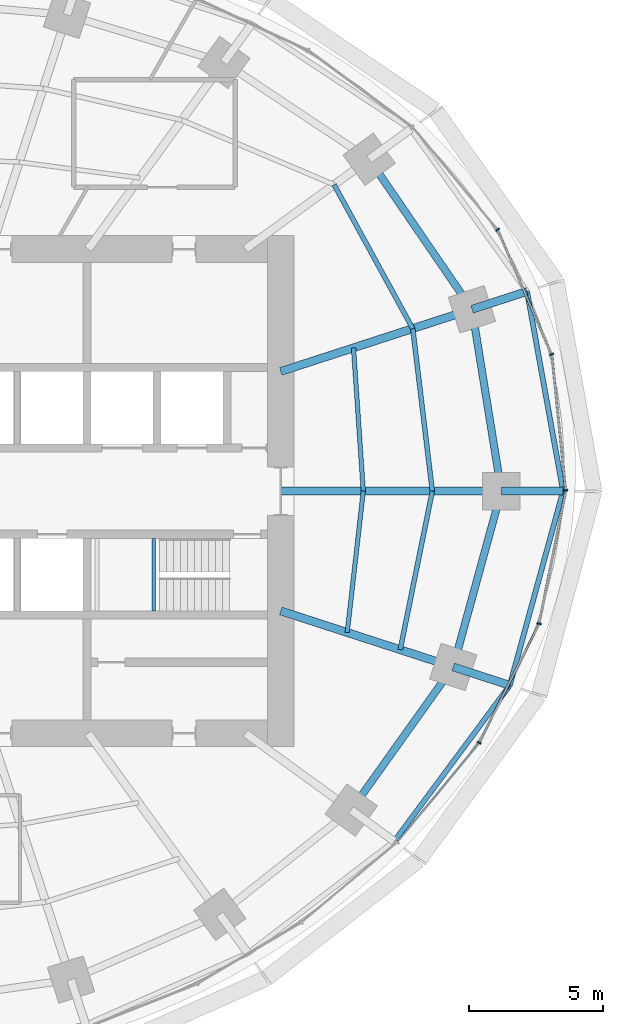
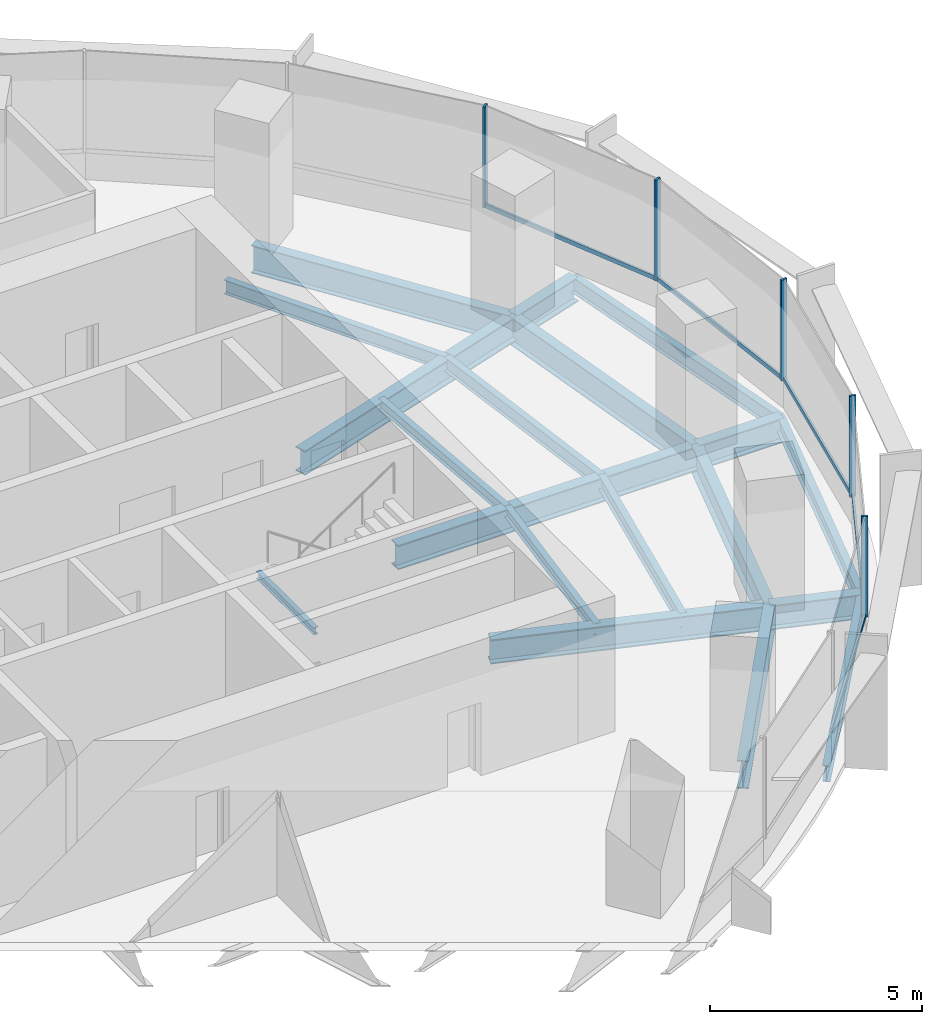
# One storey, part 6 of 14: 19 beams, 10 members, 2 elements without a shape of their own.
"""IFC4 building model written with IfcOpenShell, lengths in metres."""

from ifc_helpers import new_model, si_unit, direction, frame, origin, origin_2d, place, context, subcontext, project, spatial, rectangle, i_section, extrude, material, material_profile, profile_set, type_object, element, aggregate, save


model = new_model("IFC4")

# Units and contexts
model_context = context("Model", 3, precision=1e-05, world=origin(), true_north=direction((0.0, 1.0)))
body_context = subcontext(model_context, "Body", "Model", "MODEL_VIEW")
ifc_project = project(units=[si_unit("LENGTHUNIT", "METRE"), si_unit("AREAUNIT", "SQUARE_METRE"), si_unit("VOLUMEUNIT", "CUBIC_METRE"), si_unit("PLANEANGLEUNIT", "RADIAN"), si_unit("MASSUNIT", "GRAM", prefix="KILO")], contexts=[model_context])

# Site, building, storey
site_placement = place(None, origin())
site = spatial("IfcSite", under=ifc_project, at=site_placement, CompositionType="ELEMENT")
building_placement = place(site_placement, origin())
building = spatial("IfcBuilding", under=site, at=building_placement, Name="Marramba Exchange Tower", CompositionType="ELEMENT")
storey_placement = place(building_placement, frame((0.0, 0.0, 242.300048828125)))
storey = spatial("IfcBuildingStorey", under=building, at=storey_placement, Name="L59", CompositionType="ELEMENT", Elevation=242.300048828125)

# Beams
ifc_material_1 = material(Name="Steel AS/NZS 3679.2 grade 300", Category="steel")
ifc_material_profile_1 = material_profile(ifc_material_1, i_section(OverallWidth=0.300048828125, OverallDepth=0.699951171875, WebThickness=0.010009765625, FlangeThickness=0.031982421875, at=origin_2d()), Name="700WB173")
ifc_profile_set_1 = profile_set([ifc_material_profile_1], Name="Steel AS/NZS 3679.2 grade 300")
beam_type_1 = type_object("IfcBeamType", Name="Cantilever girder 700WB173", PredefinedType="BEAM", material=ifc_profile_set_1)
beam_1_placement = place(storey_placement, frame((21.89990234375, 0.0, -0.510009765625), z_axis=(1.0, 0.0, 0.0), x_axis=(0.0, 1.0, 0.0)))
element("IfcBeam", 1, at=beam_1_placement, inside=storey, type_object=beam_type_1, Name="Cantilever girder L59 TC01", PredefinedType="BEAM", context=body_context, shape_type="SweptSolid", body=[
    extrude(i_section(OverallWidth=0.300048828125, OverallDepth=0.699951171875, WebThickness=0.010009765625, FlangeThickness=0.031982421875, at=origin_2d()), origin(), (0.0, 0.0, 1.0), 2.294189453125),
])
beam_2_placement = place(storey_placement, frame((20.808349609375, 6.760986328125, -0.510009765625), z_axis=(0.951051587859, 0.309032162129, 0.0), x_axis=(-0.309032162129, 0.951051587859, 0.0)))
element("IfcBeam", 2, at=beam_2_placement, inside=storey, type_object=beam_type_1, Name="Cantilever girder L59 TC02", PredefinedType="BEAM", context=body_context, shape_type="SweptSolid", body=[
    extrude(i_section(OverallWidth=0.300048828125, OverallDepth=0.699951171875, WebThickness=0.010009765625, FlangeThickness=0.031982421875, at=origin_2d()), origin(), (0.0, 0.0, 1.0), 2.150390625),
])
beam_3_placement = place(storey_placement, frame((20.109375, -6.533935546875, -0.510009765625), z_axis=(0.951050283347, -0.309036176758, 0.0), x_axis=(0.309036176758, 0.951050283347, 0.0)))
element("IfcBeam", 3, at=beam_3_placement, inside=storey, type_object=beam_type_1, Name="Cantilever girder L59 TC20", PredefinedType="BEAM", context=body_context, shape_type="SweptSolid", body=[
    extrude(i_section(OverallWidth=0.300048828125, OverallDepth=0.699951171875, WebThickness=0.010009765625, FlangeThickness=0.031982421875, at=origin_2d()), origin(), (0.0, 0.0, 1.0), 2.212890625),
])
ifc_material_2 = material(Name="Steel AS/NZS 3679.1 grade 300", Category="steel")
ifc_material_profile_2 = material_profile(ifc_material_2, i_section(OverallWidth=0.166015625, OverallDepth=0.306884765625, WebThickness=0.006591796875, FlangeThickness=0.01171875, FilletRadius=0.011474609375, at=origin_2d()), Name="310UB46.2")
ifc_profile_set_2 = profile_set([ifc_material_profile_2], Name="Steel AS/NZS 3679.1 grade 300")
beam_type_2 = type_object("IfcBeamType", Name="Floor joist 310UB46.2", PredefinedType="JOIST", material=ifc_profile_set_2)
beam_4_placement = place(storey_placement, frame((16.7666015625, 0.0, -0.3134765625), z_axis=(-0.068096259546, 0.99767875563, 0.0), x_axis=(-0.99767875563, -0.068096259546, 0.0)))
element("IfcBeam", 4, at=beam_4_placement, inside=storey, type_object=beam_type_2, Name="Joist L59 bay 01 row 1", PredefinedType="JOIST", context=body_context, shape_type="SweptSolid", body=[
    extrude(i_section(OverallWidth=0.166015625, OverallDepth=0.306884765625, WebThickness=0.006591796875, FlangeThickness=0.01171875, FilletRadius=0.011474609375, at=origin_2d()), origin(), (0.0, 0.0, 1.0), 5.342041015625),
])
beam_5_placement = place(storey_placement, frame((16.169677734375, -5.25390625, -0.3134765625), z_axis=(0.112888968594, 0.993607609054, 0.0), x_axis=(-0.993607609054, 0.112888968594, 0.0)))
element("IfcBeam", 5, at=beam_5_placement, inside=storey, type_object=beam_type_2, Name="Joist L59 bay 20 row 1", PredefinedType="JOIST", context=body_context, shape_type="SweptSolid", body=[
    extrude(i_section(OverallWidth=0.166015625, OverallDepth=0.306884765625, WebThickness=0.006591796875, FlangeThickness=0.01171875, FilletRadius=0.011474609375, at=origin_2d()), origin(), (0.0, 0.0, 1.0), 5.28759765625),
])
ifc_material_profile_3 = material_profile(ifc_material_2, i_section(OverallWidth=0.177978515625, OverallDepth=0.406005859375, WebThickness=0.0078125, FlangeThickness=0.0126953125, FilletRadius=0.011474609375, at=origin_2d()), Name="410UB59.7")
ifc_profile_set_3 = profile_set([ifc_material_profile_3], Name="Steel AS/NZS 3679.1 grade 300")
beam_type_3 = type_object("IfcBeamType", Name="Floor joist 410UB59.7", PredefinedType="JOIST", material=ifc_profile_set_3)
beam_6_placement = place(storey_placement, frame((19.333251953125, 0.0, -0.363037109375), z_axis=(-0.119523078538, 0.992831422597, 0.0), x_axis=(-0.992831422597, -0.119523078538, 0.0)))
element("IfcBeam", 6, at=beam_6_placement, inside=storey, type_object=beam_type_3, Name="Joist L59 bay 01 row 2", PredefinedType="JOIST", context=body_context, shape_type="SweptSolid", body=[
    extrude(i_section(OverallWidth=0.177978515625, OverallDepth=0.406005859375, WebThickness=0.0078125, FlangeThickness=0.0126953125, FilletRadius=0.011474609375, at=origin_2d()), origin(), (0.0, 0.0, 1.0), 6.089111328125),
])
beam_7_placement = place(storey_placement, frame((18.60546875, 6.04541015625, -0.363037109375), z_axis=(-0.479584443791, 0.877495732909, 0.0), x_axis=(-0.877495732909, -0.479584443791, 0.0)))
element("IfcBeam", 7, at=beam_7_placement, inside=storey, type_object=beam_type_3, Name="Joist L59 bay 02 row 2", PredefinedType="JOIST", context=body_context, shape_type="SweptSolid", body=[
    extrude(i_section(OverallWidth=0.177978515625, OverallDepth=0.406005859375, WebThickness=0.0078125, FlangeThickness=0.0126953125, FilletRadius=0.011474609375, at=origin_2d()), origin(), (0.0, 0.0, 1.0), 6.094970703125),
])
beam_8_placement = place(storey_placement, frame((18.1396484375, -5.893798828125, -0.363037109375), z_axis=(0.198489047047, 0.980103105904, 0.0), x_axis=(-0.980103105904, 0.198489047047, 0.0)))
element("IfcBeam", 8, at=beam_8_placement, inside=storey, type_object=beam_type_3, Name="Joist L59 bay 20 row 2", PredefinedType="JOIST", context=body_context, shape_type="SweptSolid", body=[
    extrude(i_section(OverallWidth=0.177978515625, OverallDepth=0.406005859375, WebThickness=0.0078125, FlangeThickness=0.0126953125, FilletRadius=0.011474609375, at=origin_2d()), origin(), (0.0, 0.0, 1.0), 6.013427734375),
])

# Curtain wall, members
ifc_material_3 = material(Name="Aluminium framing, bronze anodised", Category="aluminium")
curtain_wall_type = type_object("IfcCurtainWallType", Name="Office ribbon curtain wall", PredefinedType="USERDEFINED", material=ifc_material_3)
curtain_wall_1_placement = place(storey_placement, origin())
curtain_wall_1 = element("IfcCurtainWall", 9, at=curtain_wall_1_placement, inside=storey, type_object=curtain_wall_type, Name="Curtain wall CW4 L59 F01-F05", ObjectType="RIBBON CURTAIN WALL", PredefinedType="USERDEFINED")
ifc_material_4 = material(Name="Aluminium mullion, bronze anodised", Category="aluminium")
ifc_material_profile_4 = material_profile(ifc_material_4, rectangle(XDim=0.159912109375, YDim=0.06005859375, at=origin_2d()), Name="CW4 mullion 60x160")
ifc_profile_set_4 = profile_set([ifc_material_profile_4], Name="Aluminium mullion, bronze anodised")
member_type_1 = type_object("IfcMemberType", Name="Office ribbon curtain wall mullion", PredefinedType="MULLION", material=ifc_profile_set_4)
member_1_placement = place(storey_placement, frame((24.291015625, 0.02978515625, 0.800048828125), z_axis=(0.0, 0.0, 1.0), x_axis=(-0.994843446001, -0.101422472607, 0.0)))
member_1 = element("IfcMember", 10, at=member_1_placement, type_object=member_type_1, Name="CW4 mullion 1", PredefinedType="MULLION", context=body_context, shape_type="SweptSolid", body=[
    extrude(rectangle(XDim=0.159912109375, YDim=0.06005859375, at=origin_2d()), origin(), (0.0, 0.0, 1.0), 2.89990234375),
])
member_2_placement = place(storey_placement, frame((23.766845703125, 5.081787109375, 0.800048828125), z_axis=(0.0, 0.0, 1.0), x_axis=(-0.918167104527, -0.396193346946, 0.0)))
member_2 = element("IfcMember", 11, at=member_2_placement, type_object=member_type_1, Name="CW4 mullion 1", PredefinedType="MULLION", context=body_context, shape_type="SweptSolid", body=[
    extrude(rectangle(XDim=0.159912109375, YDim=0.06005859375, at=origin_2d()), origin(), (0.0, 0.0, 1.0), 2.89990234375),
])
member_3_placement = place(storey_placement, frame((21.757080078125, 9.718505859375, 0.800048828125), z_axis=(0.0, 0.0, 1.0), x_axis=(-0.770574258342, -0.637350227411, 0.0)))
member_3 = element("IfcMember", 12, at=member_3_placement, type_object=member_type_1, Name="CW4 mullion 1", PredefinedType="MULLION", context=body_context, shape_type="SweptSolid", body=[
    extrude(rectangle(XDim=0.159912109375, YDim=0.06005859375, at=origin_2d()), origin(), (0.0, 0.0, 1.0), 2.89990234375),
])

curtain_wall_2_placement = place(storey_placement, origin())
curtain_wall_2 = element("IfcCurtainWall", 13, at=curtain_wall_2_placement, inside=storey, type_object=curtain_wall_type, Name="Curtain wall CW4 L59 F26-F30", ObjectType="RIBBON CURTAIN WALL", PredefinedType="USERDEFINED")
member_4_placement = place(storey_placement, frame((21.07568359375, -9.3505859375, 0.800048828125), z_axis=(0.0, 0.0, 1.0), x_axis=(-0.892689067591, 0.450673083956, 0.0)))
member_4 = element("IfcMember", 14, at=member_4_placement, type_object=member_type_1, Name="CW4 mullion 1", PredefinedType="MULLION", context=body_context, shape_type="SweptSolid", body=[
    extrude(rectangle(XDim=0.159912109375, YDim=0.06005859375, at=origin_2d()), origin(), (0.0, 0.0, 1.0), 2.89990234375),
])
member_5_placement = place(storey_placement, frame((23.30224609375, -4.92236328125, 0.800048828125), z_axis=(0.0, 0.0, 1.0), x_axis=(-0.980303812539, 0.197495405316, 0.0)))
member_5 = element("IfcMember", 15, at=member_5_placement, type_object=member_type_1, Name="CW4 mullion 1", PredefinedType="MULLION", context=body_context, shape_type="SweptSolid", body=[
    extrude(rectangle(XDim=0.159912109375, YDim=0.06005859375, at=origin_2d()), origin(), (0.0, 0.0, 1.0), 2.89990234375),
])

# Member
ifc_material_5 = material(Name="Aluminium transom, bronze anodised", Category="aluminium")
ifc_material_profile_5 = material_profile(ifc_material_5, rectangle(XDim=0.06005859375, YDim=0.1201171875, at=origin_2d()), Name="CW4 transom 60x120")
ifc_profile_set_5 = profile_set([ifc_material_profile_5], Name="Aluminium transom, bronze anodised")
member_type_2 = type_object("IfcMemberType", Name="Office ribbon curtain wall transom", PredefinedType="USERDEFINED", material=ifc_profile_set_5)
member_6_placement = place(storey_placement, frame((24.287841796875, 0.0595703125, 0.829833984375), z_axis=(-0.101386007846, 0.994847162841, 0.0), x_axis=(-0.994847162841, -0.101386007846, 0.0)))
member_6 = element("IfcMember", 16, at=member_6_placement, type_object=member_type_2, Name="CW4 sill transom", ObjectType="TRANSOM", PredefinedType="USERDEFINED", context=body_context, shape_type="SweptSolid", body=[
    extrude(rectangle(XDim=0.06005859375, YDim=0.1201171875, at=origin_2d()), origin(), (0.0, 0.0, 1.0), 5.020751953125),
])

member_7_placement = place(storey_placement, frame((23.7548828125, 5.109375, 0.829833984375), z_axis=(-0.396177573744, 0.918173910576, 0.0), x_axis=(-0.918173910576, -0.396177573744, 0.0)))
member_7 = element("IfcMember", 17, at=member_7_placement, type_object=member_type_2, Name="CW4 sill transom", ObjectType="TRANSOM", PredefinedType="USERDEFINED", context=body_context, shape_type="SweptSolid", body=[
    extrude(rectangle(XDim=0.06005859375, YDim=0.1201171875, at=origin_2d()), origin(), (0.0, 0.0, 1.0), 4.99462890625),
])

aggregate(curtain_wall_1, [member_1, member_6, member_2, member_7, member_3])

member_8_placement = place(storey_placement, frame((18.03515625, -13.029296875, 0.829833984375), z_axis=(0.638146908901, 0.76991462037, 0.0), x_axis=(-0.76991462037, 0.638146908901, 0.0)))
member_8 = element("IfcMember", 18, at=member_8_placement, type_object=member_type_2, Name="CW4 sill transom", ObjectType="TRANSOM", PredefinedType="USERDEFINED", context=body_context, shape_type="SweptSolid", body=[
    extrude(rectangle(XDim=0.06005859375, YDim=0.1201171875, at=origin_2d()), origin(), (0.0, 0.0, 1.0), 4.7431640625),
])

member_9_placement = place(storey_placement, frame((21.089111328125, -9.323974609375, 0.829833984375), z_axis=(0.450679681949, 0.892685736572, 0.0), x_axis=(-0.892685736572, 0.450679681949, 0.0)))
member_9 = element("IfcMember", 19, at=member_9_placement, type_object=member_type_2, Name="CW4 sill transom", ObjectType="TRANSOM", PredefinedType="USERDEFINED", context=body_context, shape_type="SweptSolid", body=[
    extrude(rectangle(XDim=0.06005859375, YDim=0.1201171875, at=origin_2d()), origin(), (0.0, 0.0, 1.0), 4.897705078125),
])

member_10_placement = place(storey_placement, frame((23.308349609375, -4.89306640625, 0.829833984375), z_axis=(0.197461053167, 0.980310732616, 0.0), x_axis=(-0.980310732616, 0.197461053167, 0.0)))
member_10 = element("IfcMember", 20, at=member_10_placement, type_object=member_type_2, Name="CW4 sill transom", ObjectType="TRANSOM", PredefinedType="USERDEFINED", context=body_context, shape_type="SweptSolid", body=[
    extrude(rectangle(XDim=0.06005859375, YDim=0.1201171875, at=origin_2d()), origin(), (0.0, 0.0, 1.0), 4.991455078125),
])

aggregate(curtain_wall_2, [member_8, member_4, member_9, member_5, member_10])

# Beams
ifc_material_profile_6 = material_profile(ifc_material_1, i_section(OverallWidth=0.300048828125, OverallDepth=0.699951171875, WebThickness=0.010009765625, FlangeThickness=0.031982421875, at=origin_2d()), Name="700WB173")
ifc_profile_set_6 = profile_set([ifc_material_profile_6], Name="Steel AS/NZS 3679.2 grade 300")
beam_type_4 = type_object("IfcBeamType", Name="Radial girder 700WB173", PredefinedType="BEAM", material=ifc_profile_set_6)
beam_9_placement = place(storey_placement, frame((13.699951171875, 0.0, -0.510009765625), z_axis=(1.0, 0.0, 0.0), x_axis=(0.0, 1.0, 0.0)))
element("IfcBeam", 21, at=beam_9_placement, inside=storey, type_object=beam_type_4, Name="Radial girder L59 TC01", PredefinedType="BEAM", context=body_context, shape_type="SweptSolid", body=[
    extrude(i_section(OverallWidth=0.300048828125, OverallDepth=0.699951171875, WebThickness=0.010009765625, FlangeThickness=0.031982421875, at=origin_2d()), origin(), (0.0, 0.0, 1.0), 8.199951171875),
])
beam_10_placement = place(storey_placement, frame((13.699951171875, 4.451416015625, -0.510009765625), z_axis=(0.951059990189, 0.309006302624, 0.0), x_axis=(-0.309006302624, 0.951059990189, 0.0)))
element("IfcBeam", 22, at=beam_10_placement, inside=storey, type_object=beam_type_4, Name="Radial girder L59 TC02", PredefinedType="BEAM", context=body_context, shape_type="SweptSolid", body=[
    extrude(i_section(OverallWidth=0.300048828125, OverallDepth=0.699951171875, WebThickness=0.010009765625, FlangeThickness=0.031982421875, at=origin_2d()), origin(), (0.0, 0.0, 1.0), 7.47412109375),
])
beam_11_placement = place(storey_placement, frame((13.699951171875, -4.451416015625, -0.510009765625), z_axis=(0.951057759669, -0.309013167637, 0.0), x_axis=(0.309013167637, 0.951057759669, 0.0)))
element("IfcBeam", 23, at=beam_11_placement, inside=storey, type_object=beam_type_4, Name="Radial girder L59 TC20", PredefinedType="BEAM", context=body_context, shape_type="SweptSolid", body=[
    extrude(i_section(OverallWidth=0.300048828125, OverallDepth=0.699951171875, WebThickness=0.010009765625, FlangeThickness=0.031982421875, at=origin_2d()), origin(), (0.0, 0.0, 1.0), 6.7392578125),
])
ifc_material_profile_7 = material_profile(ifc_material_1, i_section(OverallWidth=0.27490234375, OverallDepth=0.800048828125, WebThickness=0.010009765625, FlangeThickness=0.02490234375, at=origin_2d()), Name="800WB168")
ifc_profile_set_7 = profile_set([ifc_material_profile_7], Name="Steel AS/NZS 3679.2 grade 300")
beam_type_5 = type_object("IfcBeamType", Name="Ring beam 800WB168", PredefinedType="SPANDREL", material=ifc_profile_set_7)
beam_12_placement = place(storey_placement, frame((21.89990234375, 0.0, -0.56005859375), z_axis=(-0.159384865399, 0.987216523708, 0.0), x_axis=(-0.987216523708, -0.159384865399, 0.0)))
element("IfcBeam", 24, at=beam_12_placement, inside=storey, type_object=beam_type_5, Name="Ring beam L59 TC01-TC02", PredefinedType="SPANDREL", context=body_context, shape_type="SweptSolid", body=[
    extrude(i_section(OverallWidth=0.27490234375, OverallDepth=0.800048828125, WebThickness=0.010009765625, FlangeThickness=0.02490234375, at=origin_2d()), origin(), (0.0, 0.0, 1.0), 6.8486328125),
])
beam_13_placement = place(storey_placement, frame((20.808349609375, 6.760986328125, -0.56005859375), z_axis=(-0.56516002054, 0.824981303535, 0.0), x_axis=(-0.824981303535, -0.56516002054, 0.0)))
element("IfcBeam", 25, at=beam_13_placement, inside=storey, type_object=beam_type_5, Name="Ring beam L59 TC02-TC03", PredefinedType="SPANDREL", context=body_context, shape_type="SweptSolid", body=[
    extrude(i_section(OverallWidth=0.27490234375, OverallDepth=0.800048828125, WebThickness=0.010009765625, FlangeThickness=0.02490234375, at=origin_2d()), origin(), (0.0, 0.0, 1.0), 6.763671875),
])
beam_14_placement = place(storey_placement, frame((16.3154296875, -11.853759765625, -0.56005859375), z_axis=(0.580637181111, 0.814162430914, 0.0), x_axis=(-0.814162430914, 0.580637181111, 0.0)))
element("IfcBeam", 26, at=beam_14_placement, inside=storey, type_object=beam_type_5, Name="Ring beam L59 TC19-TC20", PredefinedType="SPANDREL", context=body_context, shape_type="SweptSolid", body=[
    extrude(i_section(OverallWidth=0.27490234375, OverallDepth=0.800048828125, WebThickness=0.010009765625, FlangeThickness=0.02490234375, at=origin_2d()), origin(), (0.0, 0.0, 1.0), 6.5341796875),
])
beam_15_placement = place(storey_placement, frame((20.109375, -6.533935546875, -0.56005859375), z_axis=(0.264291166956, 0.964442937176, 0.0), x_axis=(-0.964442937176, 0.264291166956, 0.0)))
element("IfcBeam", 27, at=beam_15_placement, inside=storey, type_object=beam_type_5, Name="Ring beam L59 TC20-TC01", PredefinedType="SPANDREL", context=body_context, shape_type="SweptSolid", body=[
    extrude(i_section(OverallWidth=0.27490234375, OverallDepth=0.800048828125, WebThickness=0.010009765625, FlangeThickness=0.02490234375, at=origin_2d()), origin(), (0.0, 0.0, 1.0), 6.77490234375),
])
ifc_material_profile_8 = material_profile(ifc_material_2, i_section(OverallWidth=0.19091796875, OverallDepth=0.4599609375, WebThickness=0.010009765625, FlangeThickness=0.01611328125, FilletRadius=0.011474609375, at=origin_2d()), Name="460UB82.1")
ifc_profile_set_8 = profile_set([ifc_material_profile_8], Name="Steel AS/NZS 3679.1 grade 300")
beam_type_6 = type_object("IfcBeamType", Name="Slab edge beam 460UB82.1", PredefinedType="SPANDREL", material=ifc_profile_set_8)
beam_16_placement = place(storey_placement, frame((24.194091796875, 0.0, -0.39013671875), z_axis=(-0.177663817107, 0.984091239719, 0.0), x_axis=(-0.984091239719, -0.177663817107, 0.0)))
element("IfcBeam", 28, at=beam_16_placement, inside=storey, type_object=beam_type_6, Name="Slab edge beam L59 TC01-TC02", PredefinedType="SPANDREL", context=body_context, shape_type="SweptSolid", body=[
    extrude(i_section(OverallWidth=0.19091796875, OverallDepth=0.4599609375, WebThickness=0.010009765625, FlangeThickness=0.01611328125, FilletRadius=0.011474609375, at=origin_2d()), origin(), (0.0, 0.0, 1.0), 7.545654296875),
])
beam_17_placement = place(storey_placement, frame((17.916015625, -13.016845703125, -0.39013671875), z_axis=(0.595428136035, 0.803408572781, 0.0), x_axis=(-0.803408572781, 0.595428136035, 0.0)))
element("IfcBeam", 29, at=beam_17_placement, inside=storey, type_object=beam_type_6, Name="Slab edge beam L59 TC19-TC20", PredefinedType="SPANDREL", context=body_context, shape_type="SweptSolid", body=[
    extrude(i_section(OverallWidth=0.19091796875, OverallDepth=0.4599609375, WebThickness=0.010009765625, FlangeThickness=0.01611328125, FilletRadius=0.011474609375, at=origin_2d()), origin(), (0.0, 0.0, 1.0), 7.218017578125),
])
beam_18_placement = place(storey_placement, frame((22.2138671875, -7.2177734375, -0.39013671875), z_axis=(0.264577205901, 0.964364506874, 0.0), x_axis=(-0.964364506874, 0.264577205901, 0.0)))
element("IfcBeam", 30, at=beam_18_placement, inside=storey, type_object=beam_type_6, Name="Slab edge beam L59 TC20-TC01", PredefinedType="SPANDREL", context=body_context, shape_type="SweptSolid", body=[
    extrude(i_section(OverallWidth=0.19091796875, OverallDepth=0.4599609375, WebThickness=0.010009765625, FlangeThickness=0.01611328125, FilletRadius=0.011474609375, at=origin_2d()), origin(), (0.0, 0.0, 1.0), 7.484375),
])
ifc_material_profile_9 = material_profile(ifc_material_2, i_section(OverallWidth=0.133056640625, OverallDepth=0.202880859375, WebThickness=0.005859375, FlangeThickness=0.0078125, FilletRadius=0.0087890625, at=origin_2d()), Name="200UB25.4")
ifc_profile_set_9 = profile_set([ifc_material_profile_9], Name="Steel AS/NZS 3679.1 grade 300")
beam_type_7 = type_object("IfcBeamType", Name="Stair landing beam 200UB25.4", PredefinedType="BEAM", material=ifc_profile_set_9)
beam_19_placement = place(storey_placement, frame((8.9833984375, -4.449951171875, 1.6484375), z_axis=(0.0, 1.0, 0.0), x_axis=(-1.0, 0.0, 0.0)))
element("IfcBeam", 31, at=beam_19_placement, inside=storey, type_object=beam_type_7, Name="Stair landing beam SLB1 ST2 L59 2", PredefinedType="BEAM", context=body_context, shape_type="SweptSolid", body=[
    extrude(i_section(OverallWidth=0.133056640625, OverallDepth=0.202880859375, WebThickness=0.005859375, FlangeThickness=0.0078125, FilletRadius=0.0087890625, at=origin_2d()), origin(), (0.0, 0.0, 1.0), 2.699951171875),
])

save(model, "model.ifc")
